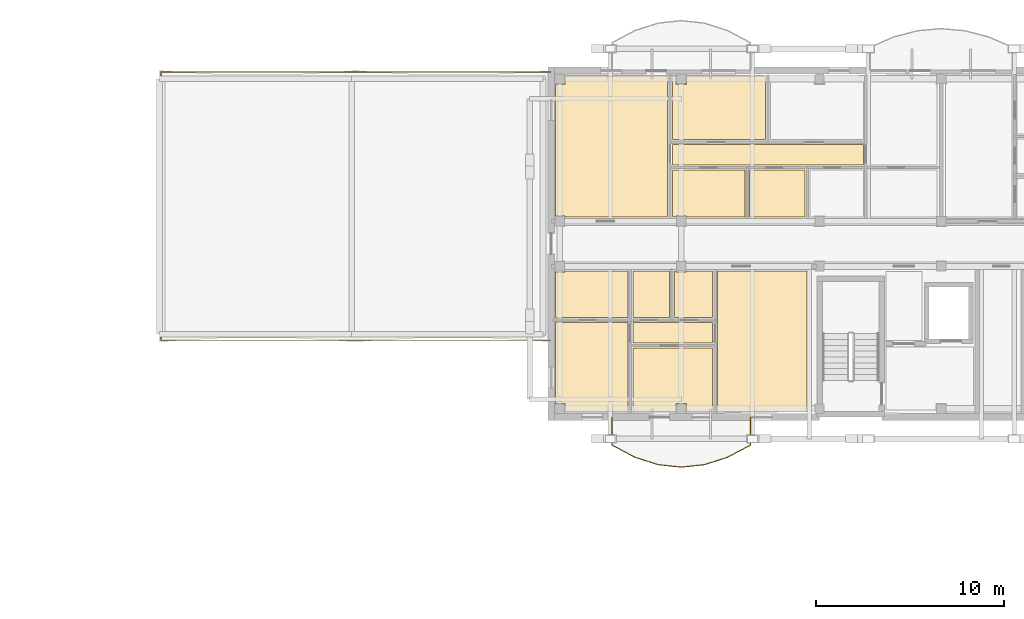
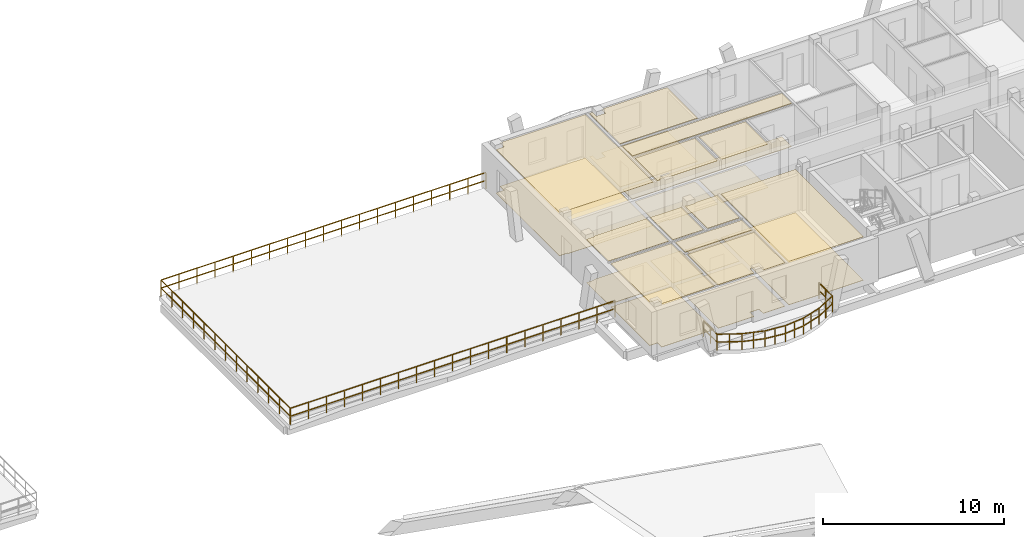
# One storey, part 99 of 109: 24 coverings, 2 railings.
"""IFC4 building model written with IfcOpenShell, lengths in metres."""

from ifc_helpers import new_model, si_unit, direction, frame, origin, origin_2d, place, context, subcontext, project, spatial, polyline, rectangle, outline, extrude, material, layer, layer_set, type_object, element, save


model = new_model("IFC4")

# Units and contexts
model_context = context("Model", 3, precision=1e-05, world=origin(), true_north=direction((0.0, 1.0)))
body_context = subcontext(model_context, "Body", "Model", "MODEL_VIEW")
ifc_project = project(units=[si_unit("LENGTHUNIT", "METRE"), si_unit("AREAUNIT", "SQUARE_METRE"), si_unit("VOLUMEUNIT", "CUBIC_METRE"), si_unit("PLANEANGLEUNIT", "RADIAN"), si_unit("MASSUNIT", "GRAM", prefix="KILO")], contexts=[model_context])

# Site, building, storey
site_placement = place(None, origin())
site = spatial("IfcSite", under=ifc_project, at=site_placement, CompositionType="ELEMENT")
building_placement = place(site_placement, origin())
building = spatial("IfcBuilding", under=site, at=building_placement, Name="Zavelmont Quarter", CompositionType="ELEMENT")
storey_placement = place(building_placement, frame((0.0, 0.0, 8.0)))
storey = spatial("IfcBuildingStorey", under=building, at=storey_placement, Name="L02", CompositionType="ELEMENT", Elevation=8.0)

# Coverings
ifc_material_1 = material(Name="Perforated acoustic gypsum board")
ifc_layer_1 = layer(ifc_material_1, 0.02490234375)
ifc_layer_set_1 = layer_set([ifc_layer_1], Name="Perforated acoustic gypsum board")
covering_type_1 = type_object("IfcCoveringType", Name="CV-CL01", PredefinedType="CEILING", material=ifc_layer_set_1)
covering_1_placement = place(storey_placement, frame((0.0, 0.0, 2.9150390625)))
element("IfcCovering", 1, at=covering_1_placement, inside=storey, type_object=covering_type_1, Name="L02 Living Dining acoustic ceiling", PredefinedType="CEILING", context=body_context, shape_type="SweptSolid", body=[
    extrude(outline(polyline([(113.030029296875, 115.27001953125), (113.530029296875, 115.27001953125), (113.530029296875, 115.719970703125), (118.969970703125, 115.719970703125), (118.969970703125, 108.22998046875), (113.530029296875, 108.22998046875), (113.530029296875, 108.2900390625), (113.030029296875, 108.2900390625), (113.030029296875, 115.27001953125)])), origin(), (0.0, 0.0, 1.0), 0.02490234375),
])
covering_2_placement = place(storey_placement, frame((0.0, 0.0, 2.9150390625)))
element("IfcCovering", 2, at=covering_2_placement, inside=storey, type_object=covering_type_1, Name="L02 Kitchen acoustic ceiling", PredefinedType="CEILING", context=body_context, shape_type="SweptSolid", body=[
    extrude(outline(polyline([(119.22998046875, 110.719970703125), (123.070068359375, 110.719970703125), (123.070068359375, 108.22998046875), (119.989990234375, 108.22998046875), (119.989990234375, 108.2900390625), (119.409912109375, 108.2900390625), (119.409912109375, 108.22998046875), (119.22998046875, 108.22998046875), (119.22998046875, 110.719970703125)])), origin(), (0.0, 0.0, 1.0), 0.02490234375),
])
covering_3_placement = place(storey_placement, frame((0.0, 0.0, 2.9150390625)))
element("IfcCovering", 3, at=covering_3_placement, inside=storey, type_object=covering_type_1, Name="L02 Single Bedroom acoustic ceiling", PredefinedType="CEILING", context=body_context, shape_type="SweptSolid", body=[
    extrude(outline(polyline([(119.22998046875, 115.719970703125), (119.409912109375, 115.719970703125), (119.409912109375, 115.27001953125), (119.989990234375, 115.27001953125), (119.989990234375, 115.719970703125), (124.169921875, 115.719970703125), (124.169921875, 112.330078125), (119.22998046875, 112.330078125), (119.22998046875, 115.719970703125)])), origin(), (0.0, 0.0, 1.0), 0.02490234375),
])
covering_4_placement = place(storey_placement, frame((0.0, 0.0, 2.9150390625)))
element("IfcCovering", 4, at=covering_4_placement, inside=storey, type_object=covering_type_1, Name="L02 Double Bedroom acoustic ceiling", PredefinedType="CEILING", context=body_context, shape_type="SweptSolid", body=[
    extrude(outline(polyline([(113.030029296875, 102.6201171875), (116.8701171875, 102.6201171875), (116.8701171875, 97.8798828125), (113.530029296875, 97.8798828125), (113.530029296875, 98.330078125), (113.030029296875, 98.330078125), (113.030029296875, 102.6201171875)])), origin(), (0.0, 0.0, 1.0), 0.02490234375),
])
covering_5_placement = place(storey_placement, frame((0.0, 0.0, 2.9150390625)))
element("IfcCovering", 5, at=covering_5_placement, inside=storey, type_object=covering_type_1, Name="L02 Kitchen acoustic ceiling", PredefinedType="CEILING", context=body_context, shape_type="SweptSolid", body=[
    extrude(outline(polyline([(119.330078125, 105.3701171875), (119.409912109375, 105.3701171875), (119.409912109375, 105.31005859375), (119.989990234375, 105.31005859375), (119.989990234375, 105.3701171875), (121.3701171875, 105.3701171875), (121.3701171875, 102.8798828125), (119.330078125, 102.8798828125), (119.330078125, 105.3701171875)])), origin(), (0.0, 0.0, 1.0), 0.02490234375),
])
covering_6_placement = place(storey_placement, frame((0.0, 0.0, 2.9150390625)))
element("IfcCovering", 6, at=covering_6_placement, inside=storey, type_object=covering_type_1, Name="L02 Master Bedroom acoustic ceiling", PredefinedType="CEILING", context=body_context, shape_type="SweptSolid", body=[
    extrude(outline(polyline([(117.1298828125, 101.27001953125), (121.3701171875, 101.27001953125), (121.3701171875, 97.8798828125), (119.989990234375, 97.8798828125), (119.989990234375, 98.330078125), (119.409912109375, 98.330078125), (119.409912109375, 97.8798828125), (117.1298828125, 97.8798828125), (117.1298828125, 101.27001953125)])), origin(), (0.0, 0.0, 1.0), 0.02490234375),
])
covering_7_placement = place(storey_placement, frame((0.0, 0.0, 2.9150390625)))
element("IfcCovering", 7, at=covering_7_placement, inside=storey, type_object=covering_type_1, Name="L02 Living Dining acoustic ceiling", PredefinedType="CEILING", context=body_context, shape_type="SweptSolid", body=[
    extrude(outline(polyline([(121.6298828125, 105.3701171875), (126.3701171875, 105.3701171875), (126.3701171875, 97.8798828125), (121.6298828125, 97.8798828125), (121.6298828125, 105.3701171875)])), origin(), (0.0, 0.0, 1.0), 0.02490234375),
])
ifc_material_2 = material(Name="Slatted European ash acoustic baffle ceiling")
ifc_layer_2 = layer(ifc_material_2, 0.0400390625)
ifc_layer_set_2 = layer_set([ifc_layer_2], Name="Slatted European ash acoustic baffle ceiling")
covering_type_2 = type_object("IfcCoveringType", Name="CV-CL02", PredefinedType="CEILING", material=ifc_layer_set_2)
covering_8_placement = place(storey_placement, frame((0.0, 0.0, 2.89990234375)))
element("IfcCovering", 8, at=covering_8_placement, inside=storey, type_object=covering_type_2, Name="L02 Apartment Hall acoustic ceiling", PredefinedType="CEILING", context=body_context, shape_type="SweptSolid", body=[
    extrude(outline(polyline([(119.22998046875, 112.070068359375), (129.3701171875, 112.070068359375), (129.3701171875, 110.97998046875), (119.22998046875, 110.97998046875), (119.22998046875, 112.070068359375)])), origin(), (0.0, 0.0, 1.0), 0.0400390625),
])
covering_9_placement = place(storey_placement, frame((0.0, 0.0, 2.89990234375)))
element("IfcCovering", 9, at=covering_9_placement, inside=storey, type_object=covering_type_2, Name="L02 Apartment Hall acoustic ceiling", PredefinedType="CEILING", context=body_context, shape_type="SweptSolid", body=[
    extrude(outline(polyline([(117.1298828125, 102.6201171875), (121.3701171875, 102.6201171875), (121.3701171875, 101.530029296875), (117.1298828125, 101.530029296875), (117.1298828125, 102.6201171875)])), origin(), (0.0, 0.0, 1.0), 0.0400390625),
])
ifc_material_3 = material(Name="Moisture-resistant painted gypsum ceiling")
ifc_layer_3 = layer(ifc_material_3, 0.02001953125)
ifc_layer_set_3 = layer_set([ifc_layer_3], Name="Moisture-resistant painted gypsum ceiling")
covering_type_3 = type_object("IfcCoveringType", Name="CV-CL04", PredefinedType="CEILING", material=ifc_layer_set_3)
covering_10_placement = place(storey_placement, frame((0.0, 0.0, 2.919921875)))
element("IfcCovering", 10, at=covering_10_placement, inside=storey, type_object=covering_type_3, Name="L02 Bathroom acoustic ceiling", PredefinedType="CEILING", context=body_context, shape_type="SweptSolid", body=[
    extrude(outline(polyline([(123.330078125, 110.719970703125), (126.27001953125, 110.719970703125), (126.27001953125, 108.22998046875), (123.330078125, 108.22998046875), (123.330078125, 110.719970703125)])), origin(), (0.0, 0.0, 1.0), 0.02001953125),
])
covering_11_placement = place(storey_placement, frame((0.0, 0.0, 2.919921875)))
element("IfcCovering", 11, at=covering_11_placement, inside=storey, type_object=covering_type_3, Name="L02 Bathroom acoustic ceiling", PredefinedType="CEILING", context=body_context, shape_type="SweptSolid", body=[
    extrude(outline(polyline([(113.030029296875, 105.31005859375), (113.530029296875, 105.31005859375), (113.530029296875, 105.3701171875), (116.8701171875, 105.3701171875), (116.8701171875, 102.8798828125), (113.030029296875, 102.8798828125), (113.030029296875, 105.31005859375)])), origin(), (0.0, 0.0, 1.0), 0.02001953125),
])
covering_12_placement = place(storey_placement, frame((0.0, 0.0, 2.919921875)))
element("IfcCovering", 12, at=covering_12_placement, inside=storey, type_object=covering_type_3, Name="L02 Bathroom acoustic ceiling", PredefinedType="CEILING", context=body_context, shape_type="SweptSolid", body=[
    extrude(outline(polyline([(117.1298828125, 105.3701171875), (119.070068359375, 105.3701171875), (119.070068359375, 102.8798828125), (117.1298828125, 102.8798828125), (117.1298828125, 105.3701171875)])), origin(), (0.0, 0.0, 1.0), 0.02001953125),
])
ifc_material_4 = material(Name="Engineered European oak parquet")
ifc_layer_4 = layer(ifc_material_4, 0.02197265625)
ifc_layer_set_4 = layer_set([ifc_layer_4], Name="Engineered European oak parquet")
covering_type_4 = type_object("IfcCoveringType", Name="CV-FL01", PredefinedType="FLOORING", material=ifc_layer_set_4)
covering_13_placement = place(storey_placement, origin())
element("IfcCovering", 13, at=covering_13_placement, inside=storey, type_object=covering_type_4, Name="L02 Living Dining floor finish", PredefinedType="FLOORING", context=body_context, shape_type="SweptSolid", body=[
    extrude(outline(polyline([(113.030029296875, 115.27001953125), (113.530029296875, 115.27001953125), (113.530029296875, 115.719970703125), (118.969970703125, 115.719970703125), (118.969970703125, 108.22998046875), (113.530029296875, 108.22998046875), (113.530029296875, 108.2900390625), (113.030029296875, 108.2900390625), (113.030029296875, 115.27001953125)])), origin(), (0.0, 0.0, 1.0), 0.02197265625),
])
covering_14_placement = place(storey_placement, origin())
element("IfcCovering", 14, at=covering_14_placement, inside=storey, type_object=covering_type_4, Name="L02 Kitchen floor finish", PredefinedType="FLOORING", context=body_context, shape_type="SweptSolid", body=[
    extrude(outline(polyline([(119.22998046875, 110.719970703125), (123.070068359375, 110.719970703125), (123.070068359375, 108.22998046875), (119.989990234375, 108.22998046875), (119.989990234375, 108.2900390625), (119.409912109375, 108.2900390625), (119.409912109375, 108.22998046875), (119.22998046875, 108.22998046875), (119.22998046875, 110.719970703125)])), origin(), (0.0, 0.0, 1.0), 0.02197265625),
])
covering_15_placement = place(storey_placement, origin())
element("IfcCovering", 15, at=covering_15_placement, inside=storey, type_object=covering_type_4, Name="L02 Single Bedroom floor finish", PredefinedType="FLOORING", context=body_context, shape_type="SweptSolid", body=[
    extrude(outline(polyline([(119.22998046875, 115.719970703125), (119.409912109375, 115.719970703125), (119.409912109375, 115.27001953125), (119.989990234375, 115.27001953125), (119.989990234375, 115.719970703125), (124.169921875, 115.719970703125), (124.169921875, 112.330078125), (119.22998046875, 112.330078125), (119.22998046875, 115.719970703125)])), origin(), (0.0, 0.0, 1.0), 0.02197265625),
])
covering_16_placement = place(storey_placement, origin())
element("IfcCovering", 16, at=covering_16_placement, inside=storey, type_object=covering_type_4, Name="L02 Double Bedroom floor finish", PredefinedType="FLOORING", context=body_context, shape_type="SweptSolid", body=[
    extrude(outline(polyline([(113.030029296875, 102.6201171875), (116.8701171875, 102.6201171875), (116.8701171875, 97.8798828125), (113.530029296875, 97.8798828125), (113.530029296875, 98.330078125), (113.030029296875, 98.330078125), (113.030029296875, 102.6201171875)])), origin(), (0.0, 0.0, 1.0), 0.02197265625),
])
covering_17_placement = place(storey_placement, origin())
element("IfcCovering", 17, at=covering_17_placement, inside=storey, type_object=covering_type_4, Name="L02 Kitchen floor finish", PredefinedType="FLOORING", context=body_context, shape_type="SweptSolid", body=[
    extrude(outline(polyline([(119.330078125, 105.3701171875), (119.409912109375, 105.3701171875), (119.409912109375, 105.31005859375), (119.989990234375, 105.31005859375), (119.989990234375, 105.3701171875), (121.3701171875, 105.3701171875), (121.3701171875, 102.8798828125), (119.330078125, 102.8798828125), (119.330078125, 105.3701171875)])), origin(), (0.0, 0.0, 1.0), 0.02197265625),
])
covering_18_placement = place(storey_placement, origin())
element("IfcCovering", 18, at=covering_18_placement, inside=storey, type_object=covering_type_4, Name="L02 Master Bedroom floor finish", PredefinedType="FLOORING", context=body_context, shape_type="SweptSolid", body=[
    extrude(outline(polyline([(117.1298828125, 101.27001953125), (121.3701171875, 101.27001953125), (121.3701171875, 97.8798828125), (119.989990234375, 97.8798828125), (119.989990234375, 98.330078125), (119.409912109375, 98.330078125), (119.409912109375, 97.8798828125), (117.1298828125, 97.8798828125), (117.1298828125, 101.27001953125)])), origin(), (0.0, 0.0, 1.0), 0.02197265625),
])
covering_19_placement = place(storey_placement, origin())
element("IfcCovering", 19, at=covering_19_placement, inside=storey, type_object=covering_type_4, Name="L02 Living Dining floor finish", PredefinedType="FLOORING", context=body_context, shape_type="SweptSolid", body=[
    extrude(outline(polyline([(121.6298828125, 105.3701171875), (126.3701171875, 105.3701171875), (126.3701171875, 97.8798828125), (121.6298828125, 97.8798828125), (121.6298828125, 105.3701171875)])), origin(), (0.0, 0.0, 1.0), 0.02197265625),
])
ifc_material_5 = material(Name="Honed Belgian bluestone tile", Category="masonry")
ifc_layer_5 = layer(ifc_material_5, 0.030029296875)
ifc_layer_set_5 = layer_set([ifc_layer_5], Name="Honed Belgian bluestone tile")
covering_type_5 = type_object("IfcCoveringType", Name="CV-FL02", PredefinedType="FLOORING", material=ifc_layer_set_5)
covering_20_placement = place(storey_placement, origin())
element("IfcCovering", 20, at=covering_20_placement, inside=storey, type_object=covering_type_5, Name="L02 Apartment Hall floor finish", PredefinedType="FLOORING", context=body_context, shape_type="SweptSolid", body=[
    extrude(outline(polyline([(119.22998046875, 112.070068359375), (129.3701171875, 112.070068359375), (129.3701171875, 110.97998046875), (119.22998046875, 110.97998046875), (119.22998046875, 112.070068359375)])), origin(), (0.0, 0.0, 1.0), 0.030029296875),
])
covering_21_placement = place(storey_placement, origin())
element("IfcCovering", 21, at=covering_21_placement, inside=storey, type_object=covering_type_5, Name="L02 Apartment Hall floor finish", PredefinedType="FLOORING", context=body_context, shape_type="SweptSolid", body=[
    extrude(outline(polyline([(117.1298828125, 102.6201171875), (121.3701171875, 102.6201171875), (121.3701171875, 101.530029296875), (117.1298828125, 101.530029296875), (117.1298828125, 102.6201171875)])), origin(), (0.0, 0.0, 1.0), 0.030029296875),
])
ifc_material_6 = material(Name="Slip-resistant porcelain tile")
ifc_layer_6 = layer(ifc_material_6, 0.02587890625)
ifc_layer_set_6 = layer_set([ifc_layer_6], Name="Slip-resistant porcelain tile")
covering_type_6 = type_object("IfcCoveringType", Name="CV-FL04", PredefinedType="FLOORING", material=ifc_layer_set_6)
covering_22_placement = place(storey_placement, origin())
element("IfcCovering", 22, at=covering_22_placement, inside=storey, type_object=covering_type_6, Name="L02 Bathroom floor finish", PredefinedType="FLOORING", context=body_context, shape_type="SweptSolid", body=[
    extrude(outline(polyline([(123.330078125, 110.719970703125), (126.27001953125, 110.719970703125), (126.27001953125, 108.22998046875), (123.330078125, 108.22998046875), (123.330078125, 110.719970703125)])), origin(), (0.0, 0.0, 1.0), 0.02587890625),
])
covering_23_placement = place(storey_placement, origin())
element("IfcCovering", 23, at=covering_23_placement, inside=storey, type_object=covering_type_6, Name="L02 Bathroom floor finish", PredefinedType="FLOORING", context=body_context, shape_type="SweptSolid", body=[
    extrude(outline(polyline([(113.030029296875, 105.31005859375), (113.530029296875, 105.31005859375), (113.530029296875, 105.3701171875), (116.8701171875, 105.3701171875), (116.8701171875, 102.8798828125), (113.030029296875, 102.8798828125), (113.030029296875, 105.31005859375)])), origin(), (0.0, 0.0, 1.0), 0.02587890625),
])
covering_24_placement = place(storey_placement, origin())
element("IfcCovering", 24, at=covering_24_placement, inside=storey, type_object=covering_type_6, Name="L02 Bathroom floor finish", PredefinedType="FLOORING", context=body_context, shape_type="SweptSolid", body=[
    extrude(outline(polyline([(117.1298828125, 105.3701171875), (119.070068359375, 105.3701171875), (119.070068359375, 102.8798828125), (117.1298828125, 102.8798828125), (117.1298828125, 105.3701171875)])), origin(), (0.0, 0.0, 1.0), 0.02587890625),
])

# Railings
ifc_material_7 = material(Name="Powder-coated steel and tempered double safety glass", Category="steel")
railing_type_1 = type_object("IfcRailingType", Name="RL-BAL1", PredefinedType="BALUSTRADE", material=ifc_material_7)
railing_1_placement = place(storey_placement, frame((116.02587890625, 97.580078125, 0.0)))
element("IfcRailing", 25, at=railing_1_placement, inside=storey, type_object=railing_type_1, Name="L02 Block C curved balcony guard RL-BAL1", PredefinedType="BALUSTRADE", context=body_context, shape_type="SweptSolid", body=[
    extrude(rectangle(XDim=0.048095703125, YDim=0.048095703125, at=origin_2d()), frame((0.0, 0.0, 1.076171875), z_axis=(0.0, -1.0, 0.0), x_axis=(1.0, 0.0, 0.0)), (0.0, 0.0, 1.0), 1.468994140625),
    extrude(rectangle(XDim=0.048095703125, YDim=0.048095703125, at=origin_2d()), frame((0.0, 0.0, 0.550048828125), z_axis=(0.0, -1.0, 0.0), x_axis=(1.0, 0.0, 0.0)), (0.0, 0.0, 1.0), 1.468994140625),
    extrude(rectangle(XDim=0.048095703125, YDim=0.048095703125, at=origin_2d()), frame((0.0, -1.468994140625, 1.076171875), z_axis=(0.883243358585, -0.46891488515, 0.0), x_axis=(0.46891488515, 0.883243358585, 0.0)), (0.0, 0.0, 1.0), 1.386474609375),
    extrude(rectangle(XDim=0.048095703125, YDim=0.048095703125, at=origin_2d()), frame((0.0, -1.468994140625, 0.550048828125), z_axis=(0.883243358585, -0.46891488515, 0.0), x_axis=(0.46891488515, 0.883243358585, 0.0)), (0.0, 0.0, 1.0), 1.386474609375),
    extrude(rectangle(XDim=0.048095703125, YDim=0.048095703125, at=origin_2d()), frame((1.224609375, -2.119140625, 1.076171875), z_axis=(0.952888356529, -0.303321248829, 0.0), x_axis=(0.303321248829, 0.952888356529, 0.0)), (0.0, 0.0, 1.0), 1.285400390625),
    extrude(rectangle(XDim=0.048095703125, YDim=0.048095703125, at=origin_2d()), frame((1.224609375, -2.119140625, 0.550048828125), z_axis=(0.952888356529, -0.303321248829, 0.0), x_axis=(0.303321248829, 0.952888356529, 0.0)), (0.0, 0.0, 1.0), 1.285400390625),
    extrude(rectangle(XDim=0.048095703125, YDim=0.048095703125, at=origin_2d()), frame((2.449462890625, -2.509033203125, 1.076171875), z_axis=(0.994401773175, -0.105665100698, 0.0), x_axis=(0.105665100698, 0.994401773175, 0.0)), (0.0, 0.0, 1.0), 1.2314453125),
    extrude(rectangle(XDim=0.048095703125, YDim=0.048095703125, at=origin_2d()), frame((2.449462890625, -2.509033203125, 0.550048828125), z_axis=(0.994401773175, -0.105665100698, 0.0), x_axis=(0.105665100698, 0.994401773175, 0.0)), (0.0, 0.0, 1.0), 1.2314453125),
    extrude(rectangle(XDim=0.048095703125, YDim=0.048095703125, at=origin_2d()), frame((3.674072265625, -2.63916015625, 1.076171875), z_axis=(0.99440398596, 0.10564427437, 0.0), x_axis=(-0.10564427437, 0.99440398596, 0.0)), (0.0, 0.0, 1.0), 1.231689453125),
    extrude(rectangle(XDim=0.048095703125, YDim=0.048095703125, at=origin_2d()), frame((3.674072265625, -2.63916015625, 0.550048828125), z_axis=(0.99440398596, 0.10564427437, 0.0), x_axis=(-0.10564427437, 0.99440398596, 0.0)), (0.0, 0.0, 1.0), 1.231689453125),
    extrude(rectangle(XDim=0.048095703125, YDim=0.048095703125, at=origin_2d()), frame((4.89892578125, -2.509033203125, 1.076171875), z_axis=(0.952870877331, 0.303376154525, 0.0), x_axis=(-0.303376154525, 0.952870877331, 0.0)), (0.0, 0.0, 1.0), 1.28515625),
    extrude(rectangle(XDim=0.048095703125, YDim=0.048095703125, at=origin_2d()), frame((4.89892578125, -2.509033203125, 0.550048828125), z_axis=(0.952870877331, 0.303376154525, 0.0), x_axis=(-0.303376154525, 0.952870877331, 0.0)), (0.0, 0.0, 1.0), 1.28515625),
    extrude(rectangle(XDim=0.048095703125, YDim=0.048095703125, at=origin_2d()), frame((6.12353515625, -2.119140625, 1.076171875), z_axis=(0.883243358585, 0.46891488515, 0.0), x_axis=(-0.46891488515, 0.883243358585, 0.0)), (0.0, 0.0, 1.0), 1.386474609375),
    extrude(rectangle(XDim=0.048095703125, YDim=0.048095703125, at=origin_2d()), frame((6.12353515625, -2.119140625, 0.550048828125), z_axis=(0.883243358585, 0.46891488515, 0.0), x_axis=(-0.46891488515, 0.883243358585, 0.0)), (0.0, 0.0, 1.0), 1.386474609375),
    extrude(rectangle(XDim=0.048095703125, YDim=0.048095703125, at=origin_2d()), frame((7.34814453125, -1.468994140625, 1.076171875), z_axis=(0.0, 1.0, 0.0), x_axis=(-1.0, 0.0, 0.0)), (0.0, 0.0, 1.0), 1.468994140625),
    extrude(rectangle(XDim=0.048095703125, YDim=0.048095703125, at=origin_2d()), frame((7.34814453125, -1.468994140625, 0.550048828125), z_axis=(0.0, 1.0, 0.0), x_axis=(-1.0, 0.0, 0.0)), (0.0, 0.0, 1.0), 1.468994140625),
    extrude(rectangle(XDim=0.0419921875, YDim=0.0419921875, at=origin_2d()), origin(), (0.0, 0.0, 1.0), 1.052001953125),
    extrude(rectangle(XDim=0.0419921875, YDim=0.0419921875, at=origin_2d()), frame((0.0, -0.734375, 0.0)), (0.0, 0.0, 1.0), 1.052001953125),
    extrude(rectangle(XDim=0.0419921875, YDim=0.0419921875, at=origin_2d()), frame((0.0, -1.468994140625, 0.0)), (0.0, 0.0, 1.0), 1.052001953125),
    extrude(rectangle(XDim=0.0419921875, YDim=0.0419921875, at=origin_2d()), frame((0.6123046875, -1.7939453125, 0.0)), (0.0, 0.0, 1.0), 1.052001953125),
    extrude(rectangle(XDim=0.0419921875, YDim=0.0419921875, at=origin_2d()), frame((1.224609375, -2.119140625, 0.0)), (0.0, 0.0, 1.0), 1.052001953125),
    extrude(rectangle(XDim=0.0419921875, YDim=0.0419921875, at=origin_2d()), frame((1.8369140625, -2.31396484375, 0.0)), (0.0, 0.0, 1.0), 1.052001953125),
    extrude(rectangle(XDim=0.0419921875, YDim=0.0419921875, at=origin_2d()), frame((2.449462890625, -2.509033203125, 0.0)), (0.0, 0.0, 1.0), 1.052001953125),
    extrude(rectangle(XDim=0.0419921875, YDim=0.0419921875, at=origin_2d()), frame((3.061767578125, -2.57421875, 0.0)), (0.0, 0.0, 1.0), 1.052001953125),
    extrude(rectangle(XDim=0.0419921875, YDim=0.0419921875, at=origin_2d()), frame((3.674072265625, -2.63916015625, 0.0)), (0.0, 0.0, 1.0), 1.052001953125),
    extrude(rectangle(XDim=0.0419921875, YDim=0.0419921875, at=origin_2d()), frame((4.28662109375, -2.57421875, 0.0)), (0.0, 0.0, 1.0), 1.052001953125),
    extrude(rectangle(XDim=0.0419921875, YDim=0.0419921875, at=origin_2d()), frame((4.89892578125, -2.509033203125, 0.0)), (0.0, 0.0, 1.0), 1.052001953125),
    extrude(rectangle(XDim=0.0419921875, YDim=0.0419921875, at=origin_2d()), frame((5.51123046875, -2.31396484375, 0.0)), (0.0, 0.0, 1.0), 1.052001953125),
    extrude(rectangle(XDim=0.0419921875, YDim=0.0419921875, at=origin_2d()), frame((6.12353515625, -2.119140625, 0.0)), (0.0, 0.0, 1.0), 1.052001953125),
    extrude(rectangle(XDim=0.0419921875, YDim=0.0419921875, at=origin_2d()), frame((6.73583984375, -1.7939453125, 0.0)), (0.0, 0.0, 1.0), 1.052001953125),
    extrude(rectangle(XDim=0.0419921875, YDim=0.0419921875, at=origin_2d()), frame((7.34814453125, -1.468994140625, 0.0)), (0.0, 0.0, 1.0), 1.052001953125),
    extrude(rectangle(XDim=0.0419921875, YDim=0.0419921875, at=origin_2d()), frame((7.34814453125, -0.734375, 0.0)), (0.0, 0.0, 1.0), 1.052001953125),
    extrude(rectangle(XDim=0.0419921875, YDim=0.0419921875, at=origin_2d()), frame((7.34814453125, 0.0, 0.0)), (0.0, 0.0, 1.0), 1.052001953125),
])
railing_type_2 = type_object("IfcRailingType", Name="RL-TER1", PredefinedType="BALUSTRADE", material=ifc_material_7)
railing_2_placement = place(storey_placement, frame((112.75, 101.679931640625, 0.0)))
element("IfcRailing", 26, at=railing_2_placement, inside=storey, type_object=railing_type_2, Name="L02 NE Street Arcade roof garden guard RL-TER1", PredefinedType="BALUSTRADE", context=body_context, shape_type="SweptSolid", body=[
    extrude(rectangle(XDim=0.048095703125, YDim=0.048095703125, at=origin_2d()), frame((0.0, 0.0, 1.09619140625), z_axis=(-1.0, 0.0, 0.0), x_axis=(0.0, -1.0, 0.0)), (0.0, 0.0, 1.0), 20.669921875),
    extrude(rectangle(XDim=0.048095703125, YDim=0.048095703125, at=origin_2d()), frame((0.0, 0.0, 0.56005859375), z_axis=(-1.0, 0.0, 0.0), x_axis=(0.0, -1.0, 0.0)), (0.0, 0.0, 1.0), 20.669921875),
    extrude(rectangle(XDim=0.048095703125, YDim=0.048095703125, at=origin_2d()), frame((-20.669921875, 0.0, 1.09619140625), z_axis=(0.0, 1.0, 0.0), x_axis=(-1.0, 0.0, 0.0)), (0.0, 0.0, 1.0), 14.239990234375),
    extrude(rectangle(XDim=0.048095703125, YDim=0.048095703125, at=origin_2d()), frame((-20.669921875, 0.0, 0.56005859375), z_axis=(0.0, 1.0, 0.0), x_axis=(-1.0, 0.0, 0.0)), (0.0, 0.0, 1.0), 14.239990234375),
    extrude(rectangle(XDim=0.048095703125, YDim=0.048095703125, at=origin_2d()), frame((-20.669921875, 14.239990234375, 1.09619140625), z_axis=(1.0, 0.0, 0.0), x_axis=(0.0, 1.0, 0.0)), (0.0, 0.0, 1.0), 20.669921875),
    extrude(rectangle(XDim=0.048095703125, YDim=0.048095703125, at=origin_2d()), frame((-20.669921875, 14.239990234375, 0.56005859375), z_axis=(1.0, 0.0, 0.0), x_axis=(0.0, 1.0, 0.0)), (0.0, 0.0, 1.0), 20.669921875),
    extrude(rectangle(XDim=0.0419921875, YDim=0.0419921875, at=origin_2d()), origin(), (0.0, 0.0, 1.0), 1.072021484375),
    extrude(rectangle(XDim=0.0419921875, YDim=0.0419921875, at=origin_2d()), frame((-1.1484375, 0.0, 0.0)), (0.0, 0.0, 1.0), 1.072021484375),
    extrude(rectangle(XDim=0.0419921875, YDim=0.0419921875, at=origin_2d()), frame((-2.296630859375, 0.0, 0.0)), (0.0, 0.0, 1.0), 1.072021484375),
    extrude(rectangle(XDim=0.0419921875, YDim=0.0419921875, at=origin_2d()), frame((-3.445068359375, 0.0, 0.0)), (0.0, 0.0, 1.0), 1.072021484375),
    extrude(rectangle(XDim=0.0419921875, YDim=0.0419921875, at=origin_2d()), frame((-4.59326171875, 0.0, 0.0)), (0.0, 0.0, 1.0), 1.072021484375),
    extrude(rectangle(XDim=0.0419921875, YDim=0.0419921875, at=origin_2d()), frame((-5.74169921875, 0.0, 0.0)), (0.0, 0.0, 1.0), 1.072021484375),
    extrude(rectangle(XDim=0.0419921875, YDim=0.0419921875, at=origin_2d()), frame((-6.889892578125, 0.0, 0.0)), (0.0, 0.0, 1.0), 1.072021484375),
    extrude(rectangle(XDim=0.0419921875, YDim=0.0419921875, at=origin_2d()), frame((-8.038330078125, 0.0, 0.0)), (0.0, 0.0, 1.0), 1.072021484375),
    extrude(rectangle(XDim=0.0419921875, YDim=0.0419921875, at=origin_2d()), frame((-9.1865234375, 0.0, 0.0)), (0.0, 0.0, 1.0), 1.072021484375),
    extrude(rectangle(XDim=0.0419921875, YDim=0.0419921875, at=origin_2d()), frame((-10.3349609375, 0.0, 0.0)), (0.0, 0.0, 1.0), 1.072021484375),
    extrude(rectangle(XDim=0.0419921875, YDim=0.0419921875, at=origin_2d()), frame((-11.4833984375, 0.0, 0.0)), (0.0, 0.0, 1.0), 1.072021484375),
    extrude(rectangle(XDim=0.0419921875, YDim=0.0419921875, at=origin_2d()), frame((-12.631591796875, 0.0, 0.0)), (0.0, 0.0, 1.0), 1.072021484375),
    extrude(rectangle(XDim=0.0419921875, YDim=0.0419921875, at=origin_2d()), frame((-13.780029296875, 0.0, 0.0)), (0.0, 0.0, 1.0), 1.072021484375),
    extrude(rectangle(XDim=0.0419921875, YDim=0.0419921875, at=origin_2d()), frame((-14.92822265625, 0.0, 0.0)), (0.0, 0.0, 1.0), 1.072021484375),
    extrude(rectangle(XDim=0.0419921875, YDim=0.0419921875, at=origin_2d()), frame((-16.07666015625, 0.0, 0.0)), (0.0, 0.0, 1.0), 1.072021484375),
    extrude(rectangle(XDim=0.0419921875, YDim=0.0419921875, at=origin_2d()), frame((-17.224853515625, 0.0, 0.0)), (0.0, 0.0, 1.0), 1.072021484375),
    extrude(rectangle(XDim=0.0419921875, YDim=0.0419921875, at=origin_2d()), frame((-18.373291015625, 0.0, 0.0)), (0.0, 0.0, 1.0), 1.072021484375),
    extrude(rectangle(XDim=0.0419921875, YDim=0.0419921875, at=origin_2d()), frame((-19.521484375, 0.0, 0.0)), (0.0, 0.0, 1.0), 1.072021484375),
    extrude(rectangle(XDim=0.0419921875, YDim=0.0419921875, at=origin_2d()), frame((-20.669921875, 0.0, 0.0)), (0.0, 0.0, 1.0), 1.072021484375),
    extrude(rectangle(XDim=0.0419921875, YDim=0.0419921875, at=origin_2d()), frame((-20.669921875, 1.186767578125, 0.0)), (0.0, 0.0, 1.0), 1.072021484375),
    extrude(rectangle(XDim=0.0419921875, YDim=0.0419921875, at=origin_2d()), frame((-20.669921875, 2.373291015625, 0.0)), (0.0, 0.0, 1.0), 1.072021484375),
    extrude(rectangle(XDim=0.0419921875, YDim=0.0419921875, at=origin_2d()), frame((-20.669921875, 3.56005859375, 0.0)), (0.0, 0.0, 1.0), 1.072021484375),
    extrude(rectangle(XDim=0.0419921875, YDim=0.0419921875, at=origin_2d()), frame((-20.669921875, 4.74658203125, 0.0)), (0.0, 0.0, 1.0), 1.072021484375),
    extrude(rectangle(XDim=0.0419921875, YDim=0.0419921875, at=origin_2d()), frame((-20.669921875, 5.933349609375, 0.0)), (0.0, 0.0, 1.0), 1.072021484375),
    extrude(rectangle(XDim=0.0419921875, YDim=0.0419921875, at=origin_2d()), frame((-20.669921875, 7.1201171875, 0.0)), (0.0, 0.0, 1.0), 1.072021484375),
    extrude(rectangle(XDim=0.0419921875, YDim=0.0419921875, at=origin_2d()), frame((-20.669921875, 8.306640625, 0.0)), (0.0, 0.0, 1.0), 1.072021484375),
    extrude(rectangle(XDim=0.0419921875, YDim=0.0419921875, at=origin_2d()), frame((-20.669921875, 9.493408203125, 0.0)), (0.0, 0.0, 1.0), 1.072021484375),
    extrude(rectangle(XDim=0.0419921875, YDim=0.0419921875, at=origin_2d()), frame((-20.669921875, 10.679931640625, 0.0)), (0.0, 0.0, 1.0), 1.072021484375),
    extrude(rectangle(XDim=0.0419921875, YDim=0.0419921875, at=origin_2d()), frame((-20.669921875, 11.86669921875, 0.0)), (0.0, 0.0, 1.0), 1.072021484375),
    extrude(rectangle(XDim=0.0419921875, YDim=0.0419921875, at=origin_2d()), frame((-20.669921875, 13.05322265625, 0.0)), (0.0, 0.0, 1.0), 1.072021484375),
    extrude(rectangle(XDim=0.0419921875, YDim=0.0419921875, at=origin_2d()), frame((-20.669921875, 14.239990234375, 0.0)), (0.0, 0.0, 1.0), 1.072021484375),
    extrude(rectangle(XDim=0.0419921875, YDim=0.0419921875, at=origin_2d()), frame((-19.521484375, 14.239990234375, 0.0)), (0.0, 0.0, 1.0), 1.072021484375),
    extrude(rectangle(XDim=0.0419921875, YDim=0.0419921875, at=origin_2d()), frame((-18.373291015625, 14.239990234375, 0.0)), (0.0, 0.0, 1.0), 1.072021484375),
    extrude(rectangle(XDim=0.0419921875, YDim=0.0419921875, at=origin_2d()), frame((-17.224853515625, 14.239990234375, 0.0)), (0.0, 0.0, 1.0), 1.072021484375),
    extrude(rectangle(XDim=0.0419921875, YDim=0.0419921875, at=origin_2d()), frame((-16.07666015625, 14.239990234375, 0.0)), (0.0, 0.0, 1.0), 1.072021484375),
    extrude(rectangle(XDim=0.0419921875, YDim=0.0419921875, at=origin_2d()), frame((-14.92822265625, 14.239990234375, 0.0)), (0.0, 0.0, 1.0), 1.072021484375),
    extrude(rectangle(XDim=0.0419921875, YDim=0.0419921875, at=origin_2d()), frame((-13.780029296875, 14.239990234375, 0.0)), (0.0, 0.0, 1.0), 1.072021484375),
    extrude(rectangle(XDim=0.0419921875, YDim=0.0419921875, at=origin_2d()), frame((-12.631591796875, 14.239990234375, 0.0)), (0.0, 0.0, 1.0), 1.072021484375),
    extrude(rectangle(XDim=0.0419921875, YDim=0.0419921875, at=origin_2d()), frame((-11.4833984375, 14.239990234375, 0.0)), (0.0, 0.0, 1.0), 1.072021484375),
    extrude(rectangle(XDim=0.0419921875, YDim=0.0419921875, at=origin_2d()), frame((-10.3349609375, 14.239990234375, 0.0)), (0.0, 0.0, 1.0), 1.072021484375),
    extrude(rectangle(XDim=0.0419921875, YDim=0.0419921875, at=origin_2d()), frame((-9.1865234375, 14.239990234375, 0.0)), (0.0, 0.0, 1.0), 1.072021484375),
    extrude(rectangle(XDim=0.0419921875, YDim=0.0419921875, at=origin_2d()), frame((-8.038330078125, 14.239990234375, 0.0)), (0.0, 0.0, 1.0), 1.072021484375),
    extrude(rectangle(XDim=0.0419921875, YDim=0.0419921875, at=origin_2d()), frame((-6.889892578125, 14.239990234375, 0.0)), (0.0, 0.0, 1.0), 1.072021484375),
    extrude(rectangle(XDim=0.0419921875, YDim=0.0419921875, at=origin_2d()), frame((-5.74169921875, 14.239990234375, 0.0)), (0.0, 0.0, 1.0), 1.072021484375),
    extrude(rectangle(XDim=0.0419921875, YDim=0.0419921875, at=origin_2d()), frame((-4.59326171875, 14.239990234375, 0.0)), (0.0, 0.0, 1.0), 1.072021484375),
    extrude(rectangle(XDim=0.0419921875, YDim=0.0419921875, at=origin_2d()), frame((-3.445068359375, 14.239990234375, 0.0)), (0.0, 0.0, 1.0), 1.072021484375),
    extrude(rectangle(XDim=0.0419921875, YDim=0.0419921875, at=origin_2d()), frame((-2.296630859375, 14.239990234375, 0.0)), (0.0, 0.0, 1.0), 1.072021484375),
    extrude(rectangle(XDim=0.0419921875, YDim=0.0419921875, at=origin_2d()), frame((-1.1484375, 14.239990234375, 0.0)), (0.0, 0.0, 1.0), 1.072021484375),
    extrude(rectangle(XDim=0.0419921875, YDim=0.0419921875, at=origin_2d()), frame((0.0, 14.239990234375, 0.0)), (0.0, 0.0, 1.0), 1.072021484375),
])

save(model, "model.ifc")
